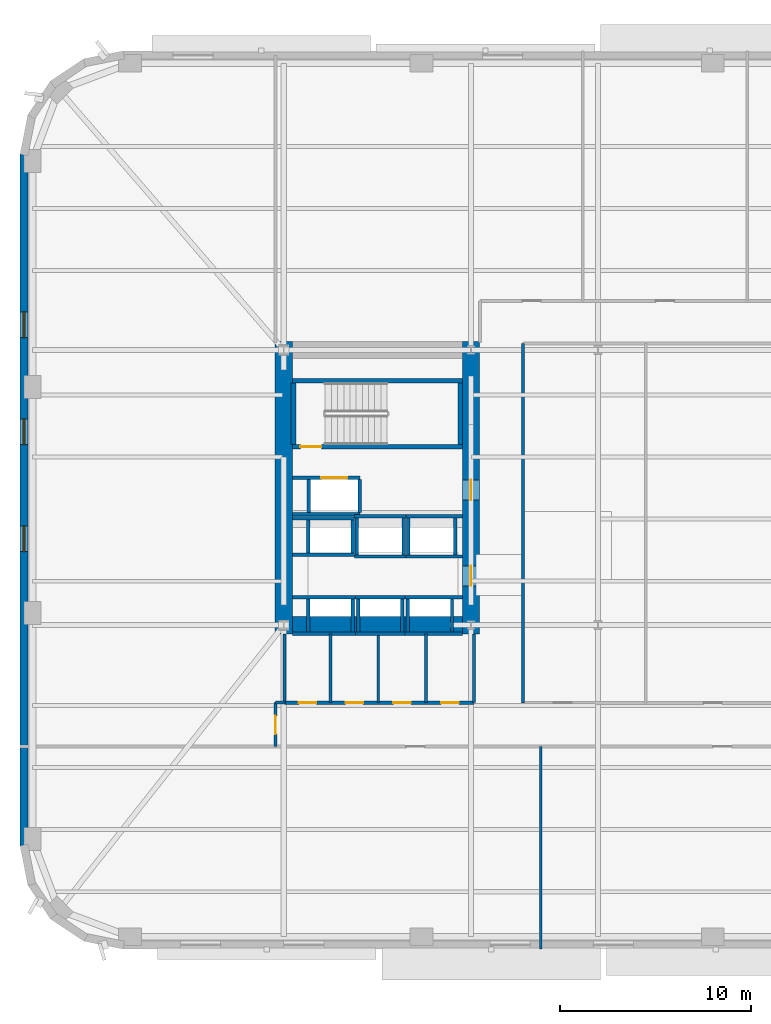
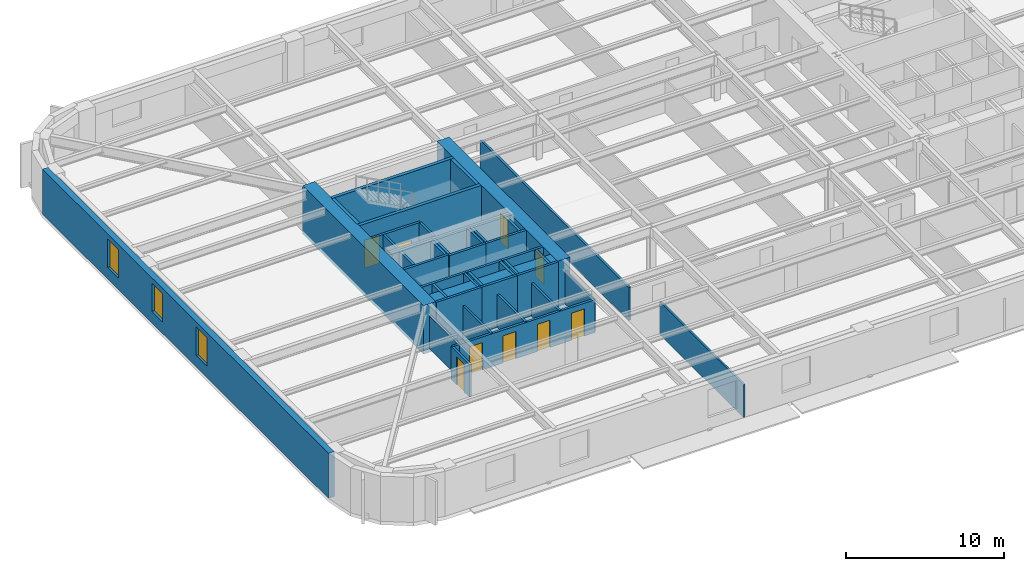
# One storey, part 4 of 15: 46 walls, 9 doors, 3 windows, 12 openings.
"""IFC4 building model written with IfcOpenShell, lengths in metres."""

from ifc_helpers import new_model, si_unit, direction, frame, frame_2d, origin, place, context, subcontext, project, spatial, rectangle, extrude, material, layer, layer_set, type_object, element, fill, save


model = new_model("IFC4")

# Units and contexts
model_context = context("Model", 3, precision=1e-05, world=origin(), true_north=direction((0.0, 1.0)))
body_context = subcontext(model_context, "Body", "Model", "MODEL_VIEW")
ifc_project = project(units=[si_unit("LENGTHUNIT", "METRE"), si_unit("AREAUNIT", "SQUARE_METRE"), si_unit("VOLUMEUNIT", "CUBIC_METRE"), si_unit("PLANEANGLEUNIT", "RADIAN"), si_unit("MASSUNIT", "GRAM", prefix="KILO")], contexts=[model_context])

# Site, building, storey
site_placement = place(None, origin())
site = spatial("IfcSite", under=ifc_project, at=site_placement, CompositionType="ELEMENT")
building_placement = place(site_placement, origin())
building = spatial("IfcBuilding", under=site, at=building_placement, Name="Kolvaren Arena Tower", CompositionType="ELEMENT")
storey_placement = place(building_placement, frame((0.0, 0.0, 60.75)))
storey = spatial("IfcBuildingStorey", under=building, at=storey_placement, Name="L12", CompositionType="ELEMENT", Elevation=60.75)

# Wall
ifc_material_1 = material(Name="Gypsum board acoustic assembly", Category="gypsum")
ifc_layer_1 = layer(ifc_material_1, 0.159912109375)
ifc_layer_set_1 = layer_set([ifc_layer_1], Name="Gypsum board acoustic assembly")
wall_type_1 = type_object("IfcWallType", Name="CORR-160", PredefinedType="PARTITIONING", material=ifc_layer_set_1)
wall_1_placement = place(storey_placement, frame((27.080078125, 15.3798828125, 0.0), z_axis=(0.0, 0.0, 1.0), x_axis=(0.0, 1.0, 0.0)))
element("IfcWall", 1, at=wall_1_placement, inside=storey, type_object=wall_type_1, Name="Interior Partition Wall (L12)", PredefinedType="PARTITIONING", context=body_context, shape_type="SweptSolid", body=[
    extrude(rectangle(XDim=18.800048828125, YDim=0.159912109375, at=frame_2d((9.39990234375, 0.0))), origin(), (0.0, 0.0, 1.0), 2.5400390625),
])

# Wall, opening, door
wall_2_placement = place(storey_placement, frame((14.1201171875, 13.10009765625, 0.0), z_axis=(0.0, 0.0, 1.0), x_axis=(0.0, 1.0, 0.0)))
wall_2 = element("IfcWall", 2, at=wall_2_placement, inside=storey, type_object=wall_type_1, Name="Interior Partition Wall (L12)", PredefinedType="PARTITIONING", context=body_context, shape_type="SweptSolid", body=[
    extrude(rectangle(XDim=2.2998046875, YDim=0.159912109375, at=frame_2d((1.14990234375, 0.0))), origin(), (0.0, 0.0, 1.0), 2.5400390625),
])
opening_1_placement = place(wall_2_placement, frame((0.64990234375, 0.0, 0.0)))
opening_1 = element("IfcOpeningElement", 3, at=opening_1_placement, cuts=wall_2, Name="Opening D05", PredefinedType="OPENING", context=body_context, shape_type="SweptSolid", body=[
    extrude(rectangle(XDim=0.949951171875, YDim=2.14990234375, at=frame_2d((0.47509765625, 1.074951171875))), frame((0.0, 0.08984375, 0.0), z_axis=(0.0, -1.0, 0.0), x_axis=(1.0, 0.0, 0.0)), (0.0, 0.0, 1.0), 0.179931640625),
])
ifc_material_2 = material(Name="Solid-core oak acoustic office door", Category="wood")
door_type_1 = type_object("IfcDoorType", Name="DOOR-OF-095", OperationType="NOTDEFINED", PredefinedType="DOOR", material=ifc_material_2)
door_1_placement = place(opening_1_placement, origin())
door_1 = element("IfcDoor", 4, at=door_1_placement, inside=storey, type_object=door_type_1, Name="West Wing Office Door (L12)", OperationType="SINGLE_SWING_LEFT", OverallHeight=2.14990234375, OverallWidth=0.949951171875, PredefinedType="DOOR", context=body_context, shape_type="SweptSolid", body=[
    extrude(rectangle(XDim=0.949951171875, YDim=2.14990234375, at=frame_2d((0.47509765625, 1.074951171875))), frame((0.0, 0.02490234375, 0.0), z_axis=(0.0, -1.0, 0.0), x_axis=(1.0, 0.0, 0.0)), (0.0, 0.0, 1.0), 0.050048828125),
])
fill(opening_1, door_1)

# Walls
wall_3_placement = place(storey_placement, frame((14.1201171875, 15.39990234375, 0.0), z_axis=(0.0, 0.0, 1.0), x_axis=(1.0, 0.0, 0.0)))
element("IfcWall", 5, at=wall_3_placement, inside=storey, type_object=wall_type_1, Name="Interior Partition Wall (L12)", PredefinedType="PARTITIONING", context=body_context, shape_type="SweptSolid", body=[
    extrude(rectangle(XDim=0.5, YDim=0.159912109375, at=frame_2d((0.25, 0.0))), origin(), (0.0, 0.0, 1.0), 2.5400390625),
])
ifc_material_3 = material(Name="Concrete 80 MPa", Category="concrete")
ifc_layer_2 = layer(ifc_material_3, 0.89990234375)
ifc_layer_set_2 = layer_set([ifc_layer_2], Name="Concrete 80 MPa")
wall_type_2 = type_object("IfcWallType", Name="CWALL-900", PredefinedType="SHEAR", material=ifc_layer_set_2)
wall_4_placement = place(storey_placement, frame((14.550048828125, 19.0, -0.27001953125), z_axis=(0.0, 0.0, 1.0), x_axis=(0.0, 1.0, 0.0)))
element("IfcWall", 6, at=wall_4_placement, inside=storey, type_object=wall_type_2, Name="Core Shear Wall WC-WEST (L12)", PredefinedType="SHEAR", context=body_context, shape_type="SweptSolid", body=[
    extrude(rectangle(XDim=15.300048828125, YDim=0.89990234375, at=frame_2d((7.64990234375, 0.0))), origin(), (0.0, 0.0, 1.0), 3.75),
])

# Wall, openings, doors
wall_5_placement = place(storey_placement, frame((24.35009765625, 19.0, -0.27001953125), z_axis=(0.0, 0.0, 1.0), x_axis=(0.0, 1.0, 0.0)))
wall_5 = element("IfcWall", 7, at=wall_5_placement, inside=storey, type_object=wall_type_2, Name="Core Shear Wall WC-EAST (L12)", PredefinedType="SHEAR", context=body_context, shape_type="SweptSolid", body=[
    extrude(rectangle(XDim=15.300048828125, YDim=0.89990234375, at=frame_2d((7.64990234375, 0.0))), origin(), (0.0, 0.0, 1.0), 3.75),
])
opening_2_placement = place(wall_5_placement, frame((2.5, 0.0, 0.27001953125)))
opening_2 = element("IfcOpeningElement", 8, at=opening_2_placement, cuts=wall_5, Name="Opening D04", PredefinedType="OPENING", context=body_context, shape_type="SweptSolid", body=[
    extrude(rectangle(XDim=1.050048828125, YDim=2.14990234375, at=frame_2d((0.52490234375, 1.074951171875))), frame((0.0, 0.4599609375, 0.0), z_axis=(0.0, -1.0, 0.0), x_axis=(1.0, 0.0, 0.0)), (0.0, 0.0, 1.0), 0.919921875),
])
opening_3_placement = place(wall_5_placement, frame((7.0, 0.0, 0.27001953125)))
opening_3 = element("IfcOpeningElement", 9, at=opening_3_placement, cuts=wall_5, Name="Opening D04", PredefinedType="OPENING", context=body_context, shape_type="SweptSolid", body=[
    extrude(rectangle(XDim=1.050048828125, YDim=2.14990234375, at=frame_2d((0.52490234375, 1.074951171875))), frame((0.0, 0.4599609375, 0.0), z_axis=(0.0, -1.0, 0.0), x_axis=(1.0, 0.0, 0.0)), (0.0, 0.0, 1.0), 0.919921875),
])
ifc_material_4 = material(Name="Fire-rated steel lobby door", Category="steel")
door_type_2 = type_object("IfcDoorType", Name="DOOR-FF-105", OperationType="NOTDEFINED", PredefinedType="DOOR", material=ifc_material_4)
door_2_placement = place(opening_2_placement, origin())
door_2 = element("IfcDoor", 10, at=door_2_placement, inside=storey, type_object=door_type_2, Name="West Lift Lobby Fire Door (L12)", OperationType="SINGLE_SWING_LEFT", OverallHeight=2.14990234375, OverallWidth=1.050048828125, PredefinedType="DOOR", context=body_context, shape_type="SweptSolid", body=[
    extrude(rectangle(XDim=1.050048828125, YDim=2.14990234375, at=frame_2d((0.52490234375, 1.074951171875))), frame((0.0, 0.02490234375, 0.0), z_axis=(0.0, -1.0, 0.0), x_axis=(1.0, 0.0, 0.0)), (0.0, 0.0, 1.0), 0.050048828125),
])
fill(opening_2, door_2)
door_3_placement = place(opening_3_placement, origin())
door_3 = element("IfcDoor", 11, at=door_3_placement, inside=storey, type_object=door_type_2, Name="West Firefighter Vestibule Door (L12)", OperationType="SINGLE_SWING_RIGHT", OverallHeight=2.14990234375, OverallWidth=1.050048828125, PredefinedType="DOOR", context=body_context, shape_type="SweptSolid", body=[
    extrude(rectangle(XDim=1.050048828125, YDim=2.14990234375, at=frame_2d((0.52490234375, 1.074951171875))), frame((0.0, 0.02490234375, 0.0), z_axis=(0.0, -1.0, 0.0), x_axis=(1.0, 0.0, 0.0)), (0.0, 0.0, 1.0), 0.050048828125),
])
fill(opening_3, door_3)

# Wall
wall_6_placement = place(storey_placement, frame((15.0, 19.449951171875, -0.27001953125), z_axis=(0.0, 0.0, 1.0), x_axis=(1.0, 0.0, 0.0)))
element("IfcWall", 12, at=wall_6_placement, inside=storey, type_object=wall_type_2, Name="Core Shear Wall WC-SOUTH (L12)", PredefinedType="SHEAR", context=body_context, shape_type="SweptSolid", body=[
    extrude(rectangle(XDim=8.89990234375, YDim=0.89990234375, at=frame_2d((4.449951171875, 0.0))), origin(), (0.0, 0.0, 1.0), 3.75),
])

# Wall, openings, windows
ifc_material_5 = material(Name="Precast concrete C50/60", Category="concrete")
ifc_layer_3 = layer(ifc_material_5, 0.419921875)
ifc_layer_set_3 = layer_set([ifc_layer_3], Name="Precast concrete C50/60")
wall_type_3 = type_object("IfcWallType", Name="EXT-PIER1", PredefinedType="SOLIDWALL", material=ifc_layer_set_3)
wall_7_placement = place(storey_placement, frame((0.9599609375, 7.89990234375, 0.0), z_axis=(0.0, 0.0, 1.0), x_axis=(0.0, 1.0, 0.0)))
wall_7 = element("IfcWall", 13, at=wall_7_placement, inside=storey, type_object=wall_type_3, Name="Exterior Precast Masonry-Frame Wall (L12)", PredefinedType="SOLIDWALL", context=body_context, shape_type="SweptSolid", body=[
    extrude(rectangle(XDim=36.2001953125, YDim=0.419921875, at=frame_2d((18.10009765625, 0.0))), origin(), (0.0, 0.0, 1.0), 3.47998046875),
])
opening_4_placement = place(wall_7_placement, frame((15.39990234375, 0.0, 0.8798828125)))
opening_4 = element("IfcOpeningElement", 14, at=opening_4_placement, cuts=wall_7, Name="Opening W04", PredefinedType="OPENING", context=body_context, shape_type="SweptSolid", body=[
    extrude(rectangle(XDim=1.35009765625, YDim=2.199951171875, at=frame_2d((0.675048828125, 1.10009765625))), frame((0.0, 0.219970703125, 0.0), z_axis=(0.0, -1.0, 0.0), x_axis=(1.0, 0.0, 0.0)), (0.0, 0.0, 1.0), 0.43994140625),
])
opening_5_placement = place(wall_7_placement, frame((21.0, 0.0, 0.8798828125)))
opening_5 = element("IfcOpeningElement", 15, at=opening_5_placement, cuts=wall_7, Name="Opening W04", PredefinedType="OPENING", context=body_context, shape_type="SweptSolid", body=[
    extrude(rectangle(XDim=1.35009765625, YDim=2.199951171875, at=frame_2d((0.675048828125, 1.10009765625))), frame((0.0, 0.219970703125, 0.0), z_axis=(0.0, -1.0, 0.0), x_axis=(1.0, 0.0, 0.0)), (0.0, 0.0, 1.0), 0.43994140625),
])
opening_6_placement = place(wall_7_placement, frame((26.60009765625, 0.0, 0.8798828125)))
opening_6 = element("IfcOpeningElement", 16, at=opening_6_placement, cuts=wall_7, Name="Opening W04", PredefinedType="OPENING", context=body_context, shape_type="SweptSolid", body=[
    extrude(rectangle(XDim=1.35009765625, YDim=2.199951171875, at=frame_2d((0.675048828125, 1.10009765625))), frame((0.0, 0.219970703125, 0.0), z_axis=(0.0, -1.0, 0.0), x_axis=(1.0, 0.0, 0.0)), (0.0, 0.0, 1.0), 0.43994140625),
])
ifc_material_6 = material(Name="Triple-glazed curved-facet corner window", Category="glass")
window_type = type_object("IfcWindowType", Name="WIN-CRN-A", PartitioningType="SINGLE_PANEL", PredefinedType="WINDOW", material=ifc_material_6)
window_1_placement = place(opening_4_placement, origin())
window_1 = element("IfcWindow", 17, at=window_1_placement, inside=storey, type_object=window_type, Name="End-Wall Punched Window (L12)", OverallHeight=2.199951171875, OverallWidth=1.35009765625, PartitioningType="SINGLE_PANEL", PredefinedType="WINDOW", context=body_context, shape_type="SweptSolid", body=[
    extrude(rectangle(XDim=1.35009765625, YDim=2.199951171875, at=frame_2d((0.675048828125, 1.10009765625))), frame((0.0, 0.030029296875, 0.0), z_axis=(0.0, -1.0, 0.0), x_axis=(1.0, 0.0, 0.0)), (0.0, 0.0, 1.0), 0.06005859375),
])
fill(opening_4, window_1)
window_2_placement = place(opening_5_placement, origin())
window_2 = element("IfcWindow", 18, at=window_2_placement, inside=storey, type_object=window_type, Name="End-Wall Punched Window (L12)", OverallHeight=2.199951171875, OverallWidth=1.35009765625, PartitioningType="SINGLE_PANEL", PredefinedType="WINDOW", context=body_context, shape_type="SweptSolid", body=[
    extrude(rectangle(XDim=1.35009765625, YDim=2.199951171875, at=frame_2d((0.675048828125, 1.10009765625))), frame((0.0, 0.030029296875, 0.0), z_axis=(0.0, -1.0, 0.0), x_axis=(1.0, 0.0, 0.0)), (0.0, 0.0, 1.0), 0.06005859375),
])
fill(opening_5, window_2)
window_3_placement = place(opening_6_placement, origin())
window_3 = element("IfcWindow", 19, at=window_3_placement, inside=storey, type_object=window_type, Name="End-Wall Punched Window (L12)", OverallHeight=2.199951171875, OverallWidth=1.35009765625, PartitioningType="SINGLE_PANEL", PredefinedType="WINDOW", context=body_context, shape_type="SweptSolid", body=[
    extrude(rectangle(XDim=1.35009765625, YDim=2.199951171875, at=frame_2d((0.675048828125, 1.10009765625))), frame((0.0, 0.030029296875, 0.0), z_axis=(0.0, -1.0, 0.0), x_axis=(1.0, 0.0, 0.0)), (0.0, 0.0, 1.0), 0.06005859375),
])
fill(opening_6, window_3)

# Wall
ifc_material_7 = material(Name="Gypsum board partition assembly", Category="gypsum")
ifc_layer_4 = layer(ifc_material_7, 0.135009765625)
ifc_layer_set_4 = layer_set([ifc_layer_4], Name="Gypsum board partition assembly")
wall_type_4 = type_object("IfcWallType", Name="PART-135", PredefinedType="PARTITIONING", material=ifc_layer_set_4)
wall_8_placement = place(storey_placement, frame((28.0, 2.5, 0.0), z_axis=(0.0, 0.0, 1.0), x_axis=(0.0, 1.0, 0.0)))
element("IfcWall", 20, at=wall_8_placement, inside=storey, type_object=wall_type_4, Name="Interior Partition Wall (L12)", PredefinedType="PARTITIONING", context=body_context, shape_type="SweptSolid", body=[
    extrude(rectangle(XDim=10.60009765625, YDim=0.135009765625, at=frame_2d((5.300048828125, 0.0))), origin(), (0.0, 0.0, 1.0), 2.5400390625),
])

# Wall, opening, door
ifc_material_8 = material(Name="Concrete 45 MPa", Category="concrete")
ifc_layer_5 = layer(ifc_material_8, 0.25)
ifc_layer_set_5 = layer_set([ifc_layer_5], Name="Concrete 45 MPa")
wall_type_5 = type_object("IfcWallType", Name="SHAFT-250", PredefinedType="SOLIDWALL", material=ifc_layer_set_5)
wall_9_placement = place(storey_placement, frame((23.89990234375, 28.780029296875, 0.0), z_axis=(0.0, 0.0, 1.0), x_axis=(-1.0, 0.0, 0.0)))
wall_9 = element("IfcWall", 21, at=wall_9_placement, inside=storey, type_object=wall_type_5, Name="Core Shaft Wall (L12)", PredefinedType="SOLIDWALL", context=body_context, shape_type="SweptSolid", body=[
    extrude(rectangle(XDim=8.89990234375, YDim=0.239990234375, at=frame_2d((4.449951171875, 0.0))), origin(), (0.0, 0.0, 1.0), 3.47998046875),
])
opening_7_placement = place(wall_9_placement, frame((7.3798828125, 0.0, 0.0)))
opening_7 = element("IfcOpeningElement", 22, at=opening_7_placement, cuts=wall_9, Name="Opening D03", PredefinedType="OPENING", context=body_context, shape_type="SweptSolid", body=[
    extrude(rectangle(XDim=1.10009765625, YDim=2.14990234375, at=frame_2d((0.550048828125, 1.074951171875))), frame((0.0, 0.1298828125, 0.0), z_axis=(0.0, -1.0, 0.0), x_axis=(1.0, 0.0, 0.0)), (0.0, 0.0, 1.0), 0.260009765625),
])
ifc_material_9 = material(Name="Fire-rated steel exit stair door", Category="steel")
door_type_3 = type_object("IfcDoorType", Name="DOOR-ST-110", OperationType="NOTDEFINED", PredefinedType="DOOR", material=ifc_material_9)
door_4_placement = place(opening_7_placement, origin())
door_4 = element("IfcDoor", 23, at=door_4_placement, inside=storey, type_object=door_type_3, Name="Stair ST-W1 Fire Door (L12)", OperationType="SINGLE_SWING_RIGHT", OverallHeight=2.14990234375, OverallWidth=1.10009765625, PredefinedType="DOOR", context=body_context, shape_type="SweptSolid", body=[
    extrude(rectangle(XDim=1.10009765625, YDim=2.14990234375, at=frame_2d((0.550048828125, 1.074951171875))), frame((0.0, 0.02490234375, 0.0), z_axis=(0.0, -1.0, 0.0), x_axis=(1.0, 0.0, 0.0)), (0.0, 0.0, 1.0), 0.050048828125),
])
fill(opening_7, door_4)

# Walls
wall_10_placement = place(storey_placement, frame((15.0, 32.25, 0.0), z_axis=(0.0, 0.0, 1.0), x_axis=(1.0, 0.0, 0.0)))
element("IfcWall", 24, at=wall_10_placement, inside=storey, type_object=wall_type_5, Name="Core Shaft Wall (L12)", PredefinedType="SOLIDWALL", context=body_context, shape_type="SweptSolid", body=[
    extrude(rectangle(XDim=8.89990234375, YDim=0.239990234375, at=frame_2d((4.449951171875, 0.0))), origin(), (0.0, 0.0, 1.0), 3.47998046875),
])
for number, where, z_axis, x_axis, name in (
    (25, (15.06005859375, 28.89990234375, 0.0), (0.0, 0.0, 1.0), (0.0, 1.0, 0.0), "Core Shaft Wall (L12)"),
    (26, (23.780029296875, 28.89990234375, 0.0), (0.0, 0.0, 1.0), (0.0, 1.0, 0.0), "Core Shaft Wall (L12)"),
):
    element("IfcWall", number, at=place(storey_placement, frame(where, z_axis=z_axis, x_axis=x_axis)), inside=storey, type_object=wall_type_5, Name=name, PredefinedType="SOLIDWALL", context=body_context, shape_type="SweptSolid", body=[
        extrude(rectangle(XDim=3.22998046875, YDim=0.239990234375, at=frame_2d((1.614990234375, 0.0))), origin(), (0.0, 0.0, 1.0), 3.47998046875),
    ])
for number, where, z_axis, x_axis, name in (
    (27, (15.0, 20.905029296875, 0.0), (0.0, 0.0, 1.0), (1.0, 0.0, 0.0), "Core Shaft Wall (L12)"),
    (28, (15.0, 18.9951171875, 0.0), (0.0, 0.0, 1.0), (1.0, 0.0, 0.0), "Core Shaft Wall (L12)"),
):
    element("IfcWall", number, at=place(storey_placement, frame(where, z_axis=z_axis, x_axis=x_axis)), inside=storey, type_object=wall_type_5, Name=name, PredefinedType="SOLIDWALL", context=body_context, shape_type="SweptSolid", body=[
        extrude(rectangle(XDim=3.300048828125, YDim=0.179931640625, at=frame_2d((1.64990234375, 0.0))), origin(), (0.0, 0.0, 1.0), 3.47998046875),
    ])
for number, where, z_axis, x_axis, name in (
    (29, (15.844970703125, 19.0849609375, 0.0), (0.0, 0.0, 1.0), (0.0, 1.0, 0.0), "Core Shaft Wall (L12)"),
    (30, (18.155029296875, 19.0849609375, 0.0), (0.0, 0.0, 1.0), (0.0, 1.0, 0.0), "Core Shaft Wall (L12)"),
):
    element("IfcWall", number, at=place(storey_placement, frame(where, z_axis=z_axis, x_axis=x_axis)), inside=storey, type_object=wall_type_5, Name=name, PredefinedType="SOLIDWALL", context=body_context, shape_type="SweptSolid", body=[
        extrude(rectangle(XDim=1.72998046875, YDim=0.179931640625, at=frame_2d((0.864990234375, 0.0))), origin(), (0.0, 0.0, 1.0), 3.47998046875),
    ])
for number, where, z_axis, x_axis, name in (
    (31, (18.300048828125, 20.905029296875, 0.0), (0.0, 0.0, 1.0), (1.0, 0.0, 0.0), "Core Shaft Wall (L12)"),
    (32, (18.300048828125, 18.9951171875, 0.0), (0.0, 0.0, 1.0), (1.0, 0.0, 0.0), "Core Shaft Wall (L12)"),
):
    element("IfcWall", number, at=place(storey_placement, frame(where, z_axis=z_axis, x_axis=x_axis)), inside=storey, type_object=wall_type_5, Name=name, PredefinedType="SOLIDWALL", context=body_context, shape_type="SweptSolid", body=[
        extrude(rectangle(XDim=2.599853515625, YDim=0.179931640625, at=frame_2d((1.2998046875, 0.0))), origin(), (0.0, 0.0, 1.0), 3.47998046875),
    ])
for number, where, z_axis, x_axis, name in (
    (33, (18.445068359375, 19.0849609375, 0.0), (0.0, 0.0, 1.0), (0.0, 1.0, 0.0), "Core Shaft Wall (L12)"),
    (34, (20.7548828125, 19.0849609375, 0.0), (0.0, 0.0, 1.0), (0.0, 1.0, 0.0), "Core Shaft Wall (L12)"),
):
    element("IfcWall", number, at=place(storey_placement, frame(where, z_axis=z_axis, x_axis=x_axis)), inside=storey, type_object=wall_type_5, Name=name, PredefinedType="SOLIDWALL", context=body_context, shape_type="SweptSolid", body=[
        extrude(rectangle(XDim=1.72998046875, YDim=0.179931640625, at=frame_2d((0.864990234375, 0.0))), origin(), (0.0, 0.0, 1.0), 3.47998046875),
    ])
for number, where, z_axis, x_axis, name in (
    (35, (20.89990234375, 20.905029296875, 0.0), (0.0, 0.0, 1.0), (1.0, 0.0, 0.0), "Core Shaft Wall (L12)"),
    (36, (20.89990234375, 18.9951171875, 0.0), (0.0, 0.0, 1.0), (1.0, 0.0, 0.0), "Core Shaft Wall (L12)"),
):
    element("IfcWall", number, at=place(storey_placement, frame(where, z_axis=z_axis, x_axis=x_axis)), inside=storey, type_object=wall_type_5, Name=name, PredefinedType="SOLIDWALL", context=body_context, shape_type="SweptSolid", body=[
        extrude(rectangle(XDim=3.0, YDim=0.179931640625, at=frame_2d((1.5, 0.0))), origin(), (0.0, 0.0, 1.0), 3.47998046875),
    ])
for number, where, z_axis, x_axis, name in (
    (37, (21.044921875, 19.0849609375, 0.0), (0.0, 0.0, 1.0), (0.0, 1.0, 0.0), "Core Shaft Wall (L12)"),
    (38, (23.35498046875, 19.0849609375, 0.0), (0.0, 0.0, 1.0), (0.0, 1.0, 0.0), "Core Shaft Wall (L12)"),
):
    element("IfcWall", number, at=place(storey_placement, frame(where, z_axis=z_axis, x_axis=x_axis)), inside=storey, type_object=wall_type_5, Name=name, PredefinedType="SOLIDWALL", context=body_context, shape_type="SweptSolid", body=[
        extrude(rectangle(XDim=1.72998046875, YDim=0.179931640625, at=frame_2d((0.864990234375, 0.0))), origin(), (0.0, 0.0, 1.0), 3.47998046875),
    ])
for number, where, z_axis, x_axis, name in (
    (39, (15.0, 25.054931640625, 0.0), (0.0, 0.0, 1.0), (1.0, 0.0, 0.0), "Core Shaft Wall (L12)"),
    (40, (15.0, 23.14501953125, 0.0), (0.0, 0.0, 1.0), (1.0, 0.0, 0.0), "Core Shaft Wall (L12)"),
):
    element("IfcWall", number, at=place(storey_placement, frame(where, z_axis=z_axis, x_axis=x_axis)), inside=storey, type_object=wall_type_5, Name=name, PredefinedType="SOLIDWALL", context=body_context, shape_type="SweptSolid", body=[
        extrude(rectangle(XDim=3.262451171875, YDim=0.179931640625, at=frame_2d((1.63134765625, 0.0))), origin(), (0.0, 0.0, 1.0), 3.47998046875),
    ])
for number, where, z_axis, x_axis, name in (
    (41, (15.844970703125, 23.235107421875, 0.0), (0.0, 0.0, 1.0), (0.0, 1.0, 0.0), "Core Shaft Wall (L12)"),
    (42, (18.155029296875, 23.235107421875, 0.0), (0.0, 0.0, 1.0), (0.0, 1.0, 0.0), "Core Shaft Wall (L12)"),
):
    element("IfcWall", number, at=place(storey_placement, frame(where, z_axis=z_axis, x_axis=x_axis)), inside=storey, type_object=wall_type_5, Name=name, PredefinedType="SOLIDWALL", context=body_context, shape_type="SweptSolid", body=[
        extrude(rectangle(XDim=1.72998046875, YDim=0.179931640625, at=frame_2d((0.864990234375, 0.0))), origin(), (0.0, 0.0, 1.0), 3.47998046875),
    ])
for number, where, z_axis, x_axis, name in (
    (43, (18.262451171875, 25.155029296875, 0.0), (0.0, 0.0, 1.0), (1.0, 0.0, 0.0), "Core Shaft Wall (L12)"),
    (44, (18.262451171875, 23.044921875, 0.0), (0.0, 0.0, 1.0), (1.0, 0.0, 0.0), "Core Shaft Wall (L12)"),
):
    element("IfcWall", number, at=place(storey_placement, frame(where, z_axis=z_axis, x_axis=x_axis)), inside=storey, type_object=wall_type_5, Name=name, PredefinedType="SOLIDWALL", context=body_context, shape_type="SweptSolid", body=[
        extrude(rectangle(XDim=2.6875, YDim=0.179931640625, at=frame_2d((1.34375, 0.0))), origin(), (0.0, 0.0, 1.0), 3.47998046875),
    ])
for number, where, z_axis, x_axis, name in (
    (45, (18.3701171875, 23.135009765625, 0.0), (0.0, 0.0, 1.0), (0.0, 1.0, 0.0), "Core Shaft Wall (L12)"),
    (46, (20.830078125, 23.135009765625, 0.0), (0.0, 0.0, 1.0), (0.0, 1.0, 0.0), "Core Shaft Wall (L12)"),
):
    element("IfcWall", number, at=place(storey_placement, frame(where, z_axis=z_axis, x_axis=x_axis)), inside=storey, type_object=wall_type_5, Name=name, PredefinedType="SOLIDWALL", context=body_context, shape_type="SweptSolid", body=[
        extrude(rectangle(XDim=1.929931640625, YDim=0.179931640625, at=frame_2d((0.96484375, 0.0))), origin(), (0.0, 0.0, 1.0), 3.47998046875),
    ])
for number, where, z_axis, x_axis, name in (
    (47, (20.949951171875, 25.155029296875, 0.0), (0.0, 0.0, 1.0), (1.0, 0.0, 0.0), "Core Shaft Wall (L12)"),
    (48, (20.949951171875, 23.044921875, 0.0), (0.0, 0.0, 1.0), (1.0, 0.0, 0.0), "Core Shaft Wall (L12)"),
):
    element("IfcWall", number, at=place(storey_placement, frame(where, z_axis=z_axis, x_axis=x_axis)), inside=storey, type_object=wall_type_5, Name=name, PredefinedType="SOLIDWALL", context=body_context, shape_type="SweptSolid", body=[
        extrude(rectangle(XDim=2.949951171875, YDim=0.179931640625, at=frame_2d((1.47509765625, 0.0))), origin(), (0.0, 0.0, 1.0), 3.47998046875),
    ])
for number, where, z_axis, x_axis, name in (
    (49, (21.070068359375, 23.135009765625, 0.0), (0.0, 0.0, 1.0), (0.0, 1.0, 0.0), "Core Shaft Wall (L12)"),
    (50, (23.530029296875, 23.135009765625, 0.0), (0.0, 0.0, 1.0), (0.0, 1.0, 0.0), "Core Shaft Wall (L12)"),
):
    element("IfcWall", number, at=place(storey_placement, frame(where, z_axis=z_axis, x_axis=x_axis)), inside=storey, type_object=wall_type_5, Name=name, PredefinedType="SOLIDWALL", context=body_context, shape_type="SweptSolid", body=[
        extrude(rectangle(XDim=1.929931640625, YDim=0.179931640625, at=frame_2d((0.96484375, 0.0))), origin(), (0.0, 0.0, 1.0), 3.47998046875),
    ])

# Wall, opening, door
wall_11_placement = place(storey_placement, frame((15.0, 27.155029296875, 0.0), z_axis=(0.0, 0.0, 1.0), x_axis=(1.0, 0.0, 0.0)))
wall_11 = element("IfcWall", 51, at=wall_11_placement, inside=storey, type_object=wall_type_5, Name="Core Shaft Wall (L12)", PredefinedType="SOLIDWALL", context=body_context, shape_type="SweptSolid", body=[
    extrude(rectangle(XDim=3.530029296875, YDim=0.179931640625, at=frame_2d((1.76513671875, 0.0))), origin(), (0.0, 0.0, 1.0), 3.47998046875),
])
opening_8_placement = place(wall_11_placement, frame((1.52490234375, 0.0, 0.0)))
opening_8 = element("IfcOpeningElement", 52, at=opening_8_placement, cuts=wall_11, Name="Opening LD2", PredefinedType="OPENING", context=body_context, shape_type="SweptSolid", body=[
    extrude(rectangle(XDim=1.35009765625, YDim=2.300048828125, at=frame_2d((0.675048828125, 1.14990234375))), frame((0.0, 0.099853515625, 0.0), z_axis=(0.0, -1.0, 0.0), x_axis=(1.0, 0.0, 0.0)), (0.0, 0.0, 1.0), 0.199951171875),
])
ifc_material_10 = material(Name="Stainless steel firefighter lift landing door", Category="steel")
door_type_4 = type_object("IfcDoorType", Name="DOOR-LD-135", OperationType="DOUBLE_DOOR_SLIDING", PredefinedType="DOOR", material=ifc_material_10)
door_5_placement = place(opening_8_placement, origin())
door_5 = element("IfcDoor", 53, at=door_5_placement, inside=storey, type_object=door_type_4, Name="Firefighter Lift FF-W1 Landing Door (L12)", OperationType="DOUBLE_DOOR_SLIDING", OverallHeight=2.300048828125, OverallWidth=1.35009765625, PredefinedType="DOOR", context=body_context, shape_type="SweptSolid", body=[
    extrude(rectangle(XDim=1.35009765625, YDim=2.300048828125, at=frame_2d((0.675048828125, 1.14990234375))), frame((0.0, 0.02490234375, 0.0), z_axis=(0.0, -1.0, 0.0), x_axis=(1.0, 0.0, 0.0)), (0.0, 0.0, 1.0), 0.050048828125),
])
fill(opening_8, door_5)

# Walls
wall_12_placement = place(storey_placement, frame((15.0, 25.2451171875, 0.0), z_axis=(0.0, 0.0, 1.0), x_axis=(1.0, 0.0, 0.0)))
element("IfcWall", 54, at=wall_12_placement, inside=storey, type_object=wall_type_5, Name="Core Shaft Wall (L12)", PredefinedType="SOLIDWALL", context=body_context, shape_type="SweptSolid", body=[
    extrude(rectangle(XDim=3.530029296875, YDim=0.179931640625, at=frame_2d((1.76513671875, 0.0))), origin(), (0.0, 0.0, 1.0), 3.47998046875),
])
for number, where, z_axis, x_axis, name in (
    (55, (15.8701171875, 25.3349609375, 0.0), (0.0, 0.0, 1.0), (0.0, 1.0, 0.0), "Core Shaft Wall (L12)"),
    (56, (18.530029296875, 25.3349609375, 0.0), (0.0, 0.0, 1.0), (0.0, 1.0, 0.0), "Core Shaft Wall (L12)"),
):
    element("IfcWall", number, at=place(storey_placement, frame(where, z_axis=z_axis, x_axis=x_axis)), inside=storey, type_object=wall_type_5, Name=name, PredefinedType="SOLIDWALL", context=body_context, shape_type="SweptSolid", body=[
        extrude(rectangle(XDim=1.72998046875, YDim=0.179931640625, at=frame_2d((0.864990234375, 0.0))), origin(), (0.0, 0.0, 1.0), 3.47998046875),
    ])
ifc_material_11 = material(Name="Moisture-resistant gypsum assembly", Category="gypsum")
ifc_layer_6 = layer(ifc_material_11, 0.14990234375)
ifc_layer_set_6 = layer_set([ifc_layer_6], Name="Moisture-resistant gypsum assembly")
wall_type_6 = type_object("IfcWallType", Name="WETW-150", PredefinedType="PARTITIONING", material=ifc_layer_set_6)
for number, where, z_axis, x_axis, name in (
    (57, (17.0, 15.39990234375, 0.0), (0.0, 0.0, 1.0), (0.0, 1.0, 0.0), "Interior Partition Wall (L12)"),
    (58, (19.5, 15.39990234375, 0.0), (0.0, 0.0, 1.0), (0.0, 1.0, 0.0), "Interior Partition Wall (L12)"),
    (59, (22.0, 15.39990234375, 0.0), (0.0, 0.0, 1.0), (0.0, 1.0, 0.0), "Interior Partition Wall (L12)"),
):
    element("IfcWall", number, at=place(storey_placement, frame(where, z_axis=z_axis, x_axis=x_axis)), inside=storey, type_object=wall_type_6, Name=name, PredefinedType="PARTITIONING", context=body_context, shape_type="SweptSolid", body=[
        extrude(rectangle(XDim=3.580078125, YDim=0.14990234375, at=frame_2d((1.7900390625, 0.0))), origin(), (0.0, 0.0, 1.0), 2.5400390625),
    ])

# Wall, openings, doors
wall_13_placement = place(storey_placement, frame((14.60009765625, 15.39990234375, 0.0), z_axis=(0.0, 0.0, 1.0), x_axis=(1.0, 0.0, 0.0)))
wall_13 = element("IfcWall", 60, at=wall_13_placement, inside=storey, type_object=wall_type_6, Name="Interior Partition Wall (L12)", PredefinedType="PARTITIONING", context=body_context, shape_type="SweptSolid", body=[
    extrude(rectangle(XDim=9.89990234375, YDim=0.179931640625, at=frame_2d((4.949951171875, 0.0))), origin(), (0.0, 0.0, 1.0), 2.5400390625),
])
opening_9_placement = place(wall_13_placement, frame((0.739990234375, 0.0, 0.0)))
opening_9 = element("IfcOpeningElement", 61, at=opening_9_placement, cuts=wall_13, Name="Opening D07", PredefinedType="OPENING", context=body_context, shape_type="SweptSolid", body=[
    extrude(rectangle(XDim=0.919921875, YDim=2.10009765625, at=frame_2d((0.4599609375, 1.050048828125))), frame((0.0, 0.099853515625, 0.0), z_axis=(0.0, -1.0, 0.0), x_axis=(1.0, 0.0, 0.0)), (0.0, 0.0, 1.0), 0.199951171875),
])
opening_10_placement = place(wall_13_placement, frame((3.18994140625, 0.0, 0.0)))
opening_10 = element("IfcOpeningElement", 62, at=opening_10_placement, cuts=wall_13, Name="Opening D07", PredefinedType="OPENING", context=body_context, shape_type="SweptSolid", body=[
    extrude(rectangle(XDim=0.919921875, YDim=2.10009765625, at=frame_2d((0.4599609375, 1.050048828125))), frame((0.0, 0.099853515625, 0.0), z_axis=(0.0, -1.0, 0.0), x_axis=(1.0, 0.0, 0.0)), (0.0, 0.0, 1.0), 0.199951171875),
])
opening_11_placement = place(wall_13_placement, frame((5.68994140625, 0.0, 0.0)))
opening_11 = element("IfcOpeningElement", 63, at=opening_11_placement, cuts=wall_13, Name="Opening D07", PredefinedType="OPENING", context=body_context, shape_type="SweptSolid", body=[
    extrude(rectangle(XDim=0.919921875, YDim=2.10009765625, at=frame_2d((0.4599609375, 1.050048828125))), frame((0.0, 0.099853515625, 0.0), z_axis=(0.0, -1.0, 0.0), x_axis=(1.0, 0.0, 0.0)), (0.0, 0.0, 1.0), 0.199951171875),
])
opening_12_placement = place(wall_13_placement, frame((8.18994140625, 0.0, 0.0)))
opening_12 = element("IfcOpeningElement", 64, at=opening_12_placement, cuts=wall_13, Name="Opening D07", PredefinedType="OPENING", context=body_context, shape_type="SweptSolid", body=[
    extrude(rectangle(XDim=0.919921875, YDim=2.10009765625, at=frame_2d((0.4599609375, 1.050048828125))), frame((0.0, 0.099853515625, 0.0), z_axis=(0.0, -1.0, 0.0), x_axis=(1.0, 0.0, 0.0)), (0.0, 0.0, 1.0), 0.199951171875),
])
ifc_material_12 = material(Name="Laminate universal washroom door", Category="wood")
door_type_5 = type_object("IfcDoorType", Name="DOOR-WC-092", OperationType="NOTDEFINED", PredefinedType="DOOR", material=ifc_material_12)
door_6_placement = place(opening_9_placement, origin())
door_6 = element("IfcDoor", 65, at=door_6_placement, inside=storey, type_object=door_type_5, Name="Cleaner and Janitor Store Door (L12)", OperationType="SINGLE_SWING_RIGHT", OverallHeight=2.10009765625, OverallWidth=0.919921875, PredefinedType="DOOR", context=body_context, shape_type="SweptSolid", body=[
    extrude(rectangle(XDim=0.919921875, YDim=2.10009765625, at=frame_2d((0.4599609375, 1.050048828125))), frame((0.0, 0.02490234375, 0.0), z_axis=(0.0, -1.0, 0.0), x_axis=(1.0, 0.0, 0.0)), (0.0, 0.0, 1.0), 0.050048828125),
])
fill(opening_9, door_6)
door_7_placement = place(opening_10_placement, origin())
door_7 = element("IfcDoor", 66, at=door_7_placement, inside=storey, type_object=door_type_5, Name="Universal Barrier-Free Washroom Door (L12)", OperationType="SINGLE_SWING_LEFT", OverallHeight=2.10009765625, OverallWidth=0.919921875, PredefinedType="DOOR", context=body_context, shape_type="SweptSolid", body=[
    extrude(rectangle(XDim=0.919921875, YDim=2.10009765625, at=frame_2d((0.4599609375, 1.050048828125))), frame((0.0, 0.02490234375, 0.0), z_axis=(0.0, -1.0, 0.0), x_axis=(1.0, 0.0, 0.0)), (0.0, 0.0, 1.0), 0.050048828125),
])
fill(opening_10, door_7)
door_8_placement = place(opening_11_placement, origin())
door_8 = element("IfcDoor", 67, at=door_8_placement, inside=storey, type_object=door_type_5, Name="Women Restroom Door (L12)", OperationType="SINGLE_SWING_RIGHT", OverallHeight=2.10009765625, OverallWidth=0.919921875, PredefinedType="DOOR", context=body_context, shape_type="SweptSolid", body=[
    extrude(rectangle(XDim=0.919921875, YDim=2.10009765625, at=frame_2d((0.4599609375, 1.050048828125))), frame((0.0, 0.02490234375, 0.0), z_axis=(0.0, -1.0, 0.0), x_axis=(1.0, 0.0, 0.0)), (0.0, 0.0, 1.0), 0.050048828125),
])
fill(opening_11, door_8)
door_9_placement = place(opening_12_placement, origin())
door_9 = element("IfcDoor", 68, at=door_9_placement, inside=storey, type_object=door_type_5, Name="Men Restroom Door (L12)", OperationType="SINGLE_SWING_LEFT", OverallHeight=2.10009765625, OverallWidth=0.919921875, PredefinedType="DOOR", context=body_context, shape_type="SweptSolid", body=[
    extrude(rectangle(XDim=0.919921875, YDim=2.10009765625, at=frame_2d((0.4599609375, 1.050048828125))), frame((0.0, 0.02490234375, 0.0), z_axis=(0.0, -1.0, 0.0), x_axis=(1.0, 0.0, 0.0)), (0.0, 0.0, 1.0), 0.050048828125),
])
fill(opening_12, door_9)

# Walls
for number, where, z_axis, x_axis, name in (
    (69, (14.60009765625, 15.39990234375, 0.0), (0.0, 0.0, 1.0), (0.0, 1.0, 0.0), "Interior Partition Wall (L12)"),
    (70, (24.5, 15.39990234375, 0.0), (0.0, 0.0, 1.0), (0.0, 1.0, 0.0), "Interior Partition Wall (L12)"),
):
    element("IfcWall", number, at=place(storey_placement, frame(where, z_axis=z_axis, x_axis=x_axis)), inside=storey, type_object=wall_type_6, Name=name, PredefinedType="PARTITIONING", context=body_context, shape_type="SweptSolid", body=[
        extrude(rectangle(XDim=3.580078125, YDim=0.14990234375, at=frame_2d((1.7900390625, 0.0))), origin(), (0.0, 0.0, 1.0), 2.5400390625),
    ])

save(model, "model.ifc")
